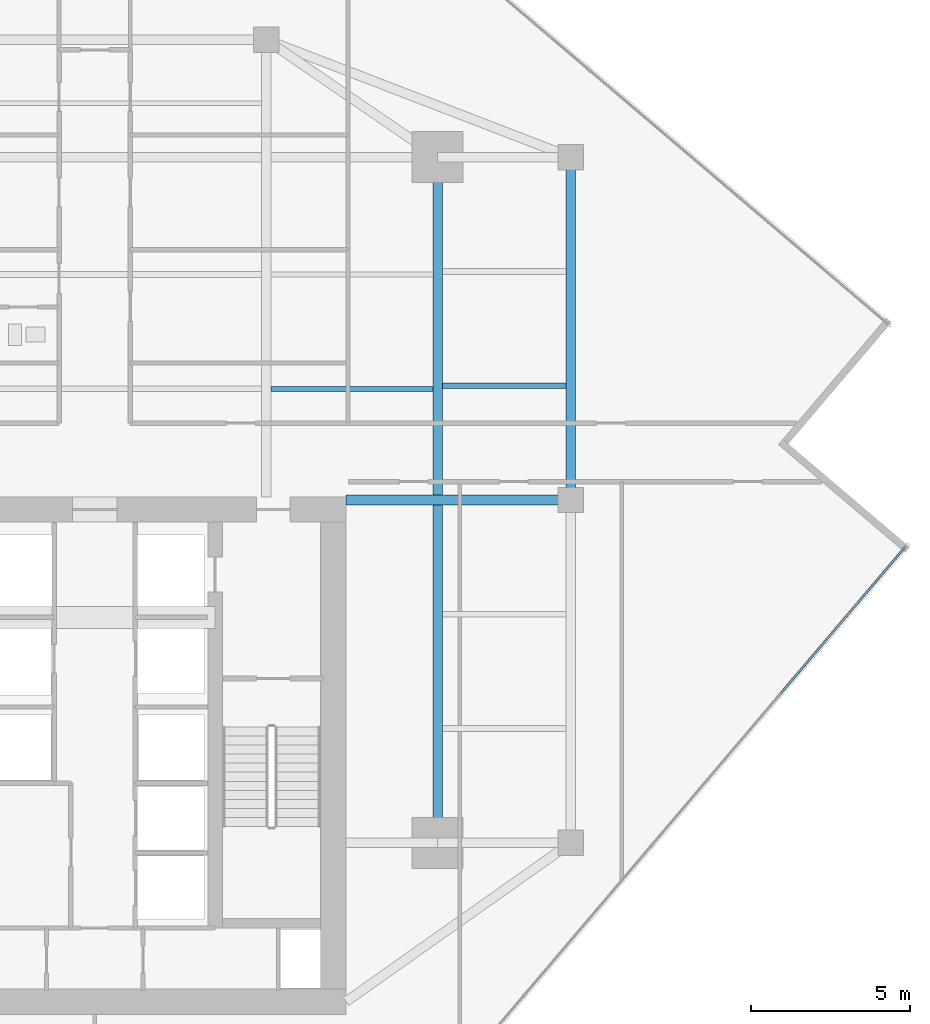
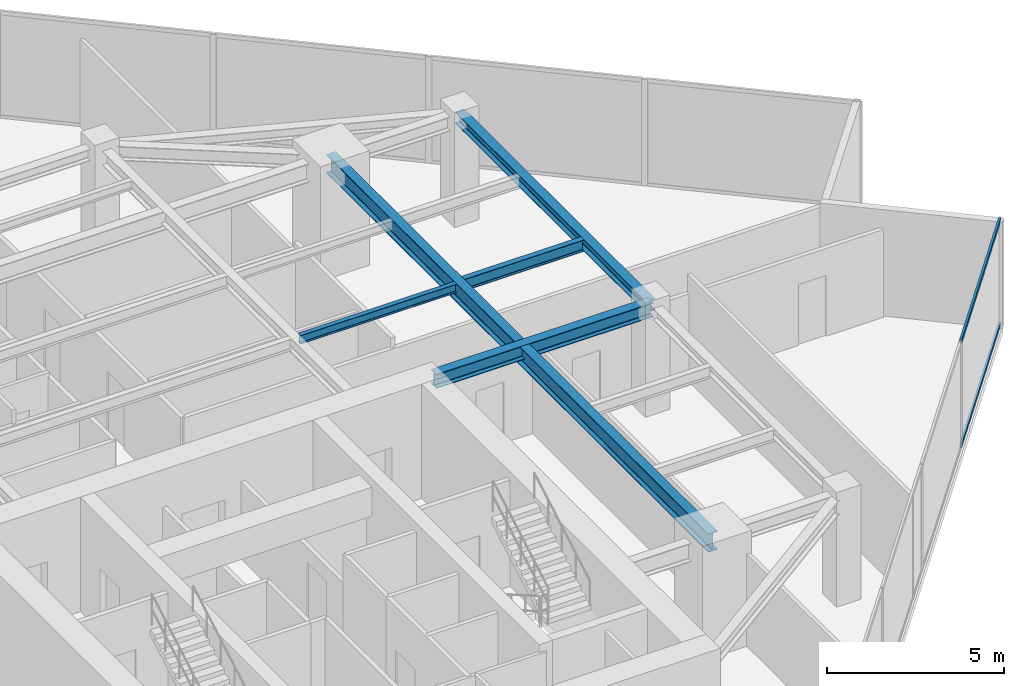
# One storey, part 12 of 26: 5 beams, 2 members, 1 element without a shape of its own.
"""IFC4 building model written with IfcOpenShell, lengths in metres."""

from ifc_helpers import new_model, si_unit, direction, frame, origin, origin_2d, place, context, subcontext, project, spatial, hollow_rectangle, i_section, extrude, source, transform, mapped, material, material_profile, profile_set, type_object, type_shapes, element, aggregate, save


model = new_model("IFC4")

# Units and contexts
model_context = context("Model", 3, precision=1e-05, world=origin(), true_north=direction((0.0, 1.0)))
body_context = subcontext(model_context, "Body", "Model", "MODEL_VIEW")
ifc_project = project(units=[si_unit("LENGTHUNIT", "METRE"), si_unit("AREAUNIT", "SQUARE_METRE"), si_unit("VOLUMEUNIT", "CUBIC_METRE"), si_unit("PLANEANGLEUNIT", "RADIAN"), si_unit("MASSUNIT", "GRAM", prefix="KILO")], contexts=[model_context])

# Site, building, storey
site_placement = place(None, origin())
site = spatial("IfcSite", under=ifc_project, at=site_placement, CompositionType="ELEMENT")
building_placement = place(site_placement, origin())
building = spatial("IfcBuilding", under=site, at=building_placement, Name="Krantzveldt Concourse Tower", CompositionType="ELEMENT")
storey_placement = place(building_placement, frame((0.0, 0.0, 207.300048828125)))
storey = spatial("IfcBuildingStorey", under=building, at=storey_placement, Name="L50", CompositionType="ELEMENT", Elevation=207.300048828125)

# Beams
ifc_material_1 = material(Name="Steel S355JR", Category="steel")
ifc_material_profile_1 = material_profile(ifc_material_1, i_section(OverallWidth=0.300048828125, OverallDepth=0.639892578125, WebThickness=0.013427734375, FlangeThickness=0.02587890625, FilletRadius=0.027099609375, at=origin_2d()), Name="Steel S355JR", Category="steel")
ifc_profile_set_1 = profile_set([ifc_material_profile_1], Name="Steel S355JR - HEA 650")
beam_type_1 = type_object("IfcBeamType", Name="BM-B-HEA650", PredefinedType="BEAM", material=ifc_profile_set_1)
shared_shape_1 = source(origin(), body_context, "Body", "SweptSolid", [
    extrude(i_section(OverallWidth=0.300048828125, OverallDepth=0.639892578125, WebThickness=0.013427734375, FlangeThickness=0.02587890625, FilletRadius=0.027099609375, at=origin_2d()), origin(), (0.0, 0.0, 1.0), 21.60009765625),
])
type_shapes(beam_type_1, [shared_shape_1])
beam_1_placement = place(storey_placement, frame((46.800048828125, 15.89990234375, 3.349853515625), z_axis=(0.0, 1.0, 0.0), x_axis=(-1.0, 0.0, 0.0)))
element("IfcBeam", 1, at=beam_1_placement, inside=storey, type_object=beam_type_1, Name="L50 Tower Girder BG-ME", PredefinedType="BEAM", context=body_context, shape_type="MappedRepresentation", body=[
    mapped(shared_shape_1, transform((0.0, 0.0, 0.0), x_axis=(1.0, 0.0, 0.0), y_axis=(0.0, 1.0, 0.0), z_axis=(0.0, 0.0, 1.0), scale=1.0)),
])
ifc_material_profile_2 = material_profile(ifc_material_1, i_section(OverallWidth=0.300048828125, OverallDepth=0.389892578125, WebThickness=0.010986328125, FlangeThickness=0.01904296875, FilletRadius=0.027099609375, at=origin_2d()), Name="Steel S355JR", Category="steel")
ifc_profile_set_2 = profile_set([ifc_material_profile_2], Name="Steel S355JR - HEA 400")
beam_type_2 = type_object("IfcBeamType", Name="BM-SP-HEA400", PredefinedType="SPANDREL", material=ifc_profile_set_2)
shared_shape_2 = source(origin(), body_context, "Body", "SweptSolid", [
    extrude(i_section(OverallWidth=0.300048828125, OverallDepth=0.389892578125, WebThickness=0.010986328125, FlangeThickness=0.01904296875, FilletRadius=0.027099609375, at=origin_2d()), origin(), (0.0, 0.0, 1.0), 10.800048828125),
])
type_shapes(beam_type_2, [shared_shape_2])
beam_2_placement = place(storey_placement, frame((51.0, 37.5, 3.474853515625), z_axis=(0.0, -1.0, 0.0), x_axis=(1.0, 0.0, 0.0)))
element("IfcBeam", 2, at=beam_2_placement, inside=storey, type_object=beam_type_2, Name="L50 Tower Girder SP-R06", PredefinedType="SPANDREL", context=body_context, shape_type="MappedRepresentation", body=[
    mapped(shared_shape_2, transform((0.0, 0.0, 0.0), x_axis=(1.0, 0.0, 0.0), y_axis=(0.0, 1.0, 0.0), z_axis=(0.0, 0.0, 1.0), scale=1.0)),
])
ifc_material_profile_3 = material_profile(ifc_material_1, i_section(OverallWidth=0.300048828125, OverallDepth=0.489990234375, WebThickness=0.011962890625, FlangeThickness=0.02294921875, FilletRadius=0.027099609375, at=origin_2d()), Name="Steel S355JR", Category="steel")
ifc_profile_set_3 = profile_set([ifc_material_profile_3], Name="Steel S355JR - HEA 500")
beam_type_3 = type_object("IfcBeamType", Name="BM-B-HEA500", PredefinedType="BEAM", material=ifc_profile_set_3)
shared_shape_3 = source(origin(), body_context, "Body", "SweptSolid", [
    extrude(i_section(OverallWidth=0.300048828125, OverallDepth=0.489990234375, WebThickness=0.011962890625, FlangeThickness=0.02294921875, FilletRadius=0.027099609375, at=origin_2d()), origin(), (0.0, 0.0, 1.0), 7.080078125),
])
type_shapes(beam_type_3, [shared_shape_3])
beam_3_placement = place(storey_placement, frame((43.919921875, 26.699951171875, 3.425048828125), z_axis=(1.0, 0.0, 0.0), x_axis=(0.0, 1.0, 0.0)))
element("IfcBeam", 3, at=beam_3_placement, inside=storey, type_object=beam_type_3, Name="L50 Tower Girder BG-CE2", PredefinedType="BEAM", context=body_context, shape_type="MappedRepresentation", body=[
    mapped(shared_shape_3, transform((0.0, 0.0, 0.0), x_axis=(1.0, 0.0, 0.0), y_axis=(0.0, 1.0, 0.0), z_axis=(0.0, 0.0, 1.0), scale=1.0)),
])
ifc_material_profile_4 = material_profile(ifc_material_1, i_section(OverallWidth=0.14990234375, OverallDepth=0.300048828125, WebThickness=0.007080078125, FlangeThickness=0.0107421875, FilletRadius=0.014892578125, at=origin_2d()), Name="Steel S355JR", Category="steel")
ifc_profile_set_4 = profile_set([ifc_material_profile_4], Name="Steel S355JR - IPE 300")
beam_type_4 = type_object("IfcBeamType", Name="BM-J-IPE300", PredefinedType="JOIST", material=ifc_profile_set_4)
shared_shape_4 = source(origin(), body_context, "Body", "SweptSolid", [
    extrude(i_section(OverallWidth=0.14990234375, OverallDepth=0.300048828125, WebThickness=0.007080078125, FlangeThickness=0.0107421875, FilletRadius=0.014892578125, at=origin_2d()), origin(), (0.0, 0.0, 1.0), 5.099853515625),
])
type_shapes(beam_type_4, [shared_shape_4])
beam_4_placement = place(storey_placement, frame((41.550048828125, 30.199951171875, 3.52001953125), z_axis=(1.0, 0.0, 0.0), x_axis=(0.0, 1.0, 0.0)))
element("IfcBeam", 4, at=beam_4_placement, inside=storey, type_object=beam_type_4, Name="L50 Secondary Floor Joist JN-E1", PredefinedType="JOIST", context=body_context, shape_type="MappedRepresentation", body=[
    mapped(shared_shape_4, transform((0.0, 0.0, 0.0), x_axis=(1.0, 0.0, 0.0), y_axis=(0.0, 1.0, 0.0), z_axis=(0.0, 0.0, 1.0), scale=1.0)),
])
ifc_material_profile_5 = material_profile(ifc_material_1, i_section(OverallWidth=0.179931640625, OverallDepth=0.39990234375, WebThickness=0.008544921875, FlangeThickness=0.013427734375, FilletRadius=0.02099609375, at=origin_2d()), Name="Steel S355JR", Category="steel")
ifc_profile_set_5 = profile_set([ifc_material_profile_5], Name="Steel S355JR - IPE 400")
beam_type_5 = type_object("IfcBeamType", Name="BM-J-IPE400", PredefinedType="JOIST", material=ifc_profile_set_5)
shared_shape_5 = source(origin(), body_context, "Body", "SweptSolid", [
    extrude(i_section(OverallWidth=0.179931640625, OverallDepth=0.39990234375, WebThickness=0.008544921875, FlangeThickness=0.013427734375, FilletRadius=0.02099609375, at=origin_2d()), origin(), (0.0, 0.0, 1.0), 3.900146484375),
])
type_shapes(beam_type_5, [shared_shape_5])
beam_5_placement = place(storey_placement, frame((46.949951171875, 30.300048828125, 3.469970703125), z_axis=(1.0, 0.0, 0.0), x_axis=(0.0, 1.0, 0.0)))
element("IfcBeam", 5, at=beam_5_placement, inside=storey, type_object=beam_type_5, Name="L50 Secondary Floor Joist JE-3", PredefinedType="JOIST", context=body_context, shape_type="MappedRepresentation", body=[
    mapped(shared_shape_5, transform((0.0, 0.0, 0.0), x_axis=(1.0, 0.0, 0.0), y_axis=(0.0, 1.0, 0.0), z_axis=(0.0, 0.0, 1.0), scale=1.0)),
])

# Curtain wall, members
ifc_material_2 = material(Name="Anodised aluminium 6063-T6", Category="aluminium")
curtain_wall_type = type_object("IfcCurtainWallType", Name="CW3", PredefinedType="USERDEFINED", material=ifc_material_2)
curtain_wall_placement = place(storey_placement, origin())
curtain_wall = element("IfcCurtainWall", 6, at=curtain_wall_placement, inside=storey, type_object=curtain_wall_type, Name="CW-L50-F07", ObjectType="UNITISED CURTAIN WALL", PredefinedType="USERDEFINED")
ifc_material_profile_6 = material_profile(ifc_material_2, hollow_rectangle(XDim=0.070068359375, YDim=0.139892578125, WallThickness=0.0048828125, at=origin_2d()), Name="Anodised aluminium 6063-T6", Category="aluminium")
ifc_profile_set_6 = profile_set([ifc_material_profile_6], Name="Anodised aluminium 6063-T6 - ALU-TRAN 140x70x5")
member_type = type_object("IfcMemberType", Name="CW-TRN-150", PredefinedType="USERDEFINED", material=ifc_profile_set_6)
shared_shape_6 = source(origin(), body_context, "Body", "SweptSolid", [
    extrude(hollow_rectangle(XDim=0.070068359375, YDim=0.139892578125, WallThickness=0.0048828125, at=origin_2d()), origin(), (0.0, 0.0, 1.0), 6.094970703125),
])
type_shapes(member_type, [shared_shape_6])
member_1_placement = place(storey_placement, frame((57.595947265625, 20.59033203125, 0.034912109375), z_axis=(0.64778444877, 0.761823672468, 0.0), x_axis=(-0.761823672468, 0.64778444877, 0.0)))
member_1 = element("IfcMember", 7, at=member_1_placement, type_object=member_type, Name="CW-Z34 transom 5.1", ObjectType="TRANSOM", PredefinedType="USERDEFINED", context=body_context, shape_type="MappedRepresentation", body=[
    mapped(shared_shape_6, transform((0.0, 0.0, 0.0), x_axis=(1.0, 0.0, 0.0), y_axis=(0.0, 1.0, 0.0), z_axis=(0.0, 0.0, 1.0), scale=1.0)),
])
member_2_placement = place(storey_placement, frame((57.595947265625, 20.59033203125, 3.635009765625), z_axis=(0.64778444877, 0.761823672468, 0.0), x_axis=(-0.761823672468, 0.64778444877, 0.0)))
member_2 = element("IfcMember", 8, at=member_2_placement, type_object=member_type, Name="CW-Z34 transom 5.2", ObjectType="TRANSOM", PredefinedType="USERDEFINED", context=body_context, shape_type="MappedRepresentation", body=[
    mapped(shared_shape_6, transform((0.0, 0.0, 0.0), x_axis=(1.0, 0.0, 0.0), y_axis=(0.0, 1.0, 0.0), z_axis=(0.0, 0.0, 1.0), scale=1.0)),
])
aggregate(curtain_wall, [member_1, member_2])

save(model, "model.ifc")
